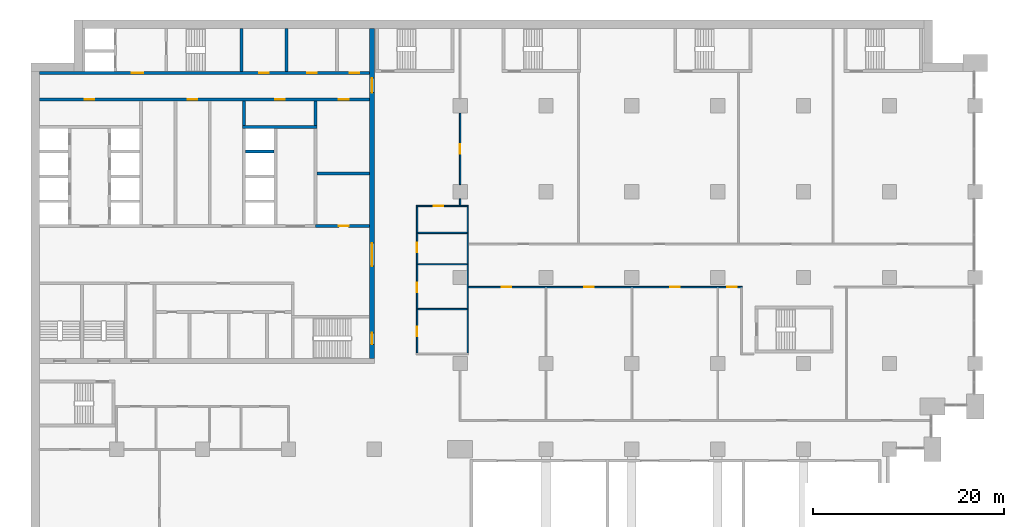
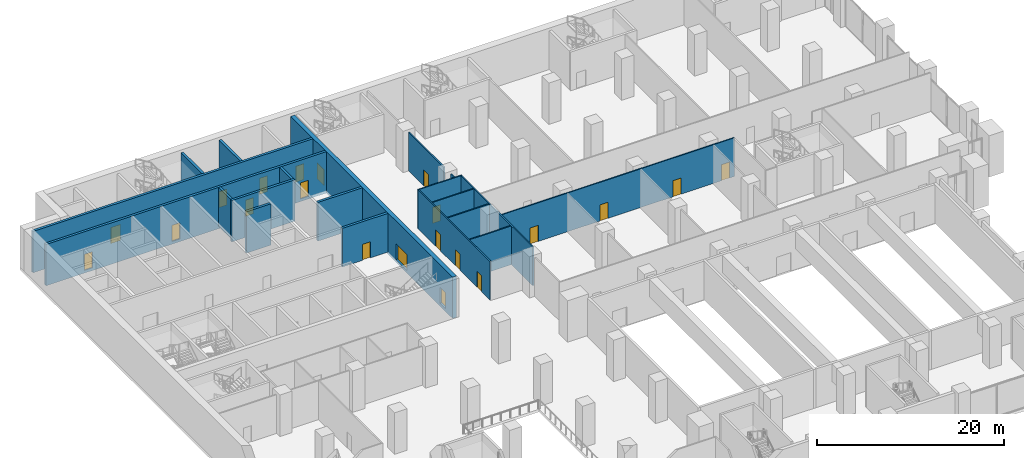
# One storey, part 19 of 43: 21 doors, 20 walls, 21 openings.
"""IFC4 building model written with IfcOpenShell, lengths in metres."""

from ifc_helpers import new_model, si_unit, direction, frame, frame_2d, origin, place, context, subcontext, project, spatial, rectangle, extrude, material, layer, layer_set, type_object, element, fill, save


model = new_model("IFC4")

# Units and contexts
model_context = context("Model", 3, precision=1e-05, world=origin(), true_north=direction((0.0, 1.0)))
body_context = subcontext(model_context, "Body", "Model", "MODEL_VIEW")
ifc_project = project(units=[si_unit("LENGTHUNIT", "METRE"), si_unit("AREAUNIT", "SQUARE_METRE"), si_unit("VOLUMEUNIT", "CUBIC_METRE"), si_unit("PLANEANGLEUNIT", "RADIAN"), si_unit("MASSUNIT", "GRAM", prefix="KILO")], contexts=[model_context])

# Site, building, storey
site_placement = place(None, origin())
site = spatial("IfcSite", under=ifc_project, at=site_placement, CompositionType="ELEMENT")
building_placement = place(site_placement, origin())
building = spatial("IfcBuilding", under=site, at=building_placement, Name="Hunhe Ridgeline Campus", CompositionType="ELEMENT")
storey_placement = place(building_placement, frame((0.0, 0.0, 11.39990234375)))
storey = spatial("IfcBuildingStorey", under=building, at=storey_placement, Name="L02", CompositionType="ELEMENT", Elevation=11.39990234375)

# Wall
ifc_material_1 = material(Name="Plastered blockwork", Category="masonry")
ifc_layer_1 = layer(ifc_material_1, 0.14990234375)
ifc_layer_set_1 = layer_set([ifc_layer_1], Name="Blockwork partition 150")
wall_type_1 = type_object("IfcWallType", Name="Blockwork partition 150", PredefinedType="PARTITIONING", material=ifc_layer_set_1)
wall_1_placement = place(storey_placement, frame((45.0, 79.574951171875, 0.0), z_axis=(0.0, 0.0, 1.0), x_axis=(0.0, 1.0, 0.0)))
element("IfcWall", 1, at=wall_1_placement, inside=storey, type_object=wall_type_1, Name="L02 partition", PredefinedType="PARTITIONING", context=body_context, shape_type="SweptSolid", body=[
    extrude(rectangle(XDim=0.675048828125, YDim=0.14990234375, at=frame_2d((0.33740234375, 0.0))), origin(), (0.0, 0.0, 1.0), 5.050048828125),
])

# Wall, opening, door
wall_2_placement = place(storey_placement, frame((45.0, 81.75, 0.0), z_axis=(0.0, 0.0, 1.0), x_axis=(0.0, 1.0, 0.0)))
wall_2 = element("IfcWall", 2, at=wall_2_placement, inside=storey, type_object=wall_type_1, Name="L02 partition", PredefinedType="PARTITIONING", context=body_context, shape_type="SweptSolid", body=[
    extrude(rectangle(XDim=7.5, YDim=0.14990234375, at=frame_2d((3.75, 0.0))), origin(), (0.0, 0.0, 1.0), 5.050048828125),
])
opening_1_placement = place(wall_2_placement, frame((3.25, 0.0, 0.0)))
opening_1 = element("IfcOpeningElement", 3, at=opening_1_placement, cuts=wall_2, Name="Opening PD338", PredefinedType="OPENING", context=body_context, shape_type="SweptSolid", body=[
    extrude(rectangle(XDim=1.0, YDim=2.10009765625, at=frame_2d((0.5, 1.050048828125))), frame((0.0, 0.074951171875, 0.0), z_axis=(0.0, -1.0, 0.0), x_axis=(1.0, 0.0, 0.0)), (0.0, 0.0, 1.0), 0.14990234375),
])
ifc_material_2 = material(Name="Timber", Category="wood")
door_type_1 = type_object("IfcDoorType", Name="Podium timber door 1000x2100", OperationType="NOTDEFINED", PredefinedType="DOOR", material=ifc_material_2)
door_1_placement = place(opening_1_placement, origin())
door_1 = element("IfcDoor", 4, at=door_1_placement, inside=storey, type_object=door_type_1, Name="Research Office 2.11 door", OperationType="SINGLE_SWING_RIGHT", OverallHeight=2.10009765625, OverallWidth=1.0, PredefinedType="DOOR", context=body_context, shape_type="SweptSolid", body=[
    extrude(rectangle(XDim=1.0, YDim=2.10009765625, at=frame_2d((0.5, 1.050048828125))), frame((0.0, 0.02490234375, 0.0), z_axis=(0.0, -1.0, 0.0), x_axis=(1.0, 0.0, 0.0)), (0.0, 0.0, 1.0), 0.050048828125),
])
fill(opening_1, door_1)

# Walls
wall_3_placement = place(storey_placement, frame((40.574951171875, 68.697021484375, 0.0), z_axis=(0.0, 0.0, 1.0), x_axis=(1.0, 0.0, 0.0)))
element("IfcWall", 5, at=wall_3_placement, inside=storey, type_object=wall_type_1, Name="L02 partition", PredefinedType="PARTITIONING", context=body_context, shape_type="SweptSolid", body=[
    extrude(rectangle(XDim=5.150146484375, YDim=0.14990234375, at=frame_2d((2.5751953125, 0.0))), origin(), (0.0, 0.0, 1.0), 5.050048828125),
])
wall_4_placement = place(storey_placement, frame((45.800048828125, 79.425048828125, 0.0), z_axis=(0.0, 0.0, 1.0), x_axis=(0.0, -1.0, 0.0)))
element("IfcWall", 6, at=wall_4_placement, inside=storey, type_object=wall_type_1, Name="L02 partition", PredefinedType="PARTITIONING", context=body_context, shape_type="SweptSolid", body=[
    extrude(rectangle(XDim=15.35009765625, YDim=0.14990234375, at=frame_2d((7.675048828125, 0.0))), origin(), (0.0, 0.0, 1.0), 5.050048828125),
])

# Wall, openings, doors
wall_5_placement = place(storey_placement, frame((40.5, 64.074951171875, 0.0), z_axis=(0.0, 0.0, 1.0), x_axis=(0.0, 1.0, 0.0)))
wall_5 = element("IfcWall", 7, at=wall_5_placement, inside=storey, type_object=wall_type_1, Name="L02 partition", PredefinedType="PARTITIONING", context=body_context, shape_type="SweptSolid", body=[
    extrude(rectangle(XDim=15.35009765625, YDim=0.14990234375, at=frame_2d((7.675048828125, 0.0))), origin(), (0.0, 0.0, 1.0), 5.050048828125),
])
opening_2_placement = place(wall_5_placement, frame((1.75, 0.0, 0.0)))
opening_2 = element("IfcOpeningElement", 8, at=opening_2_placement, cuts=wall_5, Name="Opening PD323", PredefinedType="OPENING", context=body_context, shape_type="SweptSolid", body=[
    extrude(rectangle(XDim=1.0, YDim=2.10009765625, at=frame_2d((0.5, 1.050048828125))), frame((0.0, 0.074951171875, 0.0), z_axis=(0.0, -1.0, 0.0), x_axis=(1.0, 0.0, 0.0)), (0.0, 0.0, 1.0), 0.14990234375),
])
opening_3_placement = place(wall_5_placement, frame((6.3720703125, 0.0, 0.0)))
opening_3 = element("IfcOpeningElement", 9, at=opening_3_placement, cuts=wall_5, Name="Opening PD324", PredefinedType="OPENING", context=body_context, shape_type="SweptSolid", body=[
    extrude(rectangle(XDim=1.0, YDim=2.10009765625, at=frame_2d((0.5, 1.050048828125))), frame((0.0, 0.074951171875, 0.0), z_axis=(0.0, -1.0, 0.0), x_axis=(1.0, 0.0, 0.0)), (0.0, 0.0, 1.0), 0.14990234375),
])
opening_4_placement = place(wall_5_placement, frame((10.569091796875, 0.0, 0.0)))
opening_4 = element("IfcOpeningElement", 10, at=opening_4_placement, cuts=wall_5, Name="Opening PD325", PredefinedType="OPENING", context=body_context, shape_type="SweptSolid", body=[
    extrude(rectangle(XDim=1.0, YDim=2.10009765625, at=frame_2d((0.5, 1.050048828125))), frame((0.0, 0.074951171875, 0.0), z_axis=(0.0, -1.0, 0.0), x_axis=(1.0, 0.0, 0.0)), (0.0, 0.0, 1.0), 0.14990234375),
])
door_type_2 = type_object("IfcDoorType", Name="Podium accessible WC door 1000x2100", OperationType="NOTDEFINED", PredefinedType="DOOR", material=ifc_material_2)
door_2_placement = place(opening_4_placement, origin())
door_2 = element("IfcDoor", 11, at=door_2_placement, inside=storey, type_object=door_type_2, Name="Accessible WC door", OperationType="SINGLE_SWING_RIGHT", OverallHeight=2.10009765625, OverallWidth=1.0, PredefinedType="DOOR", context=body_context, shape_type="SweptSolid", body=[
    extrude(rectangle(XDim=1.0, YDim=2.10009765625, at=frame_2d((0.5, 1.050048828125))), frame((0.0, 0.02490234375, 0.0), z_axis=(0.0, -1.0, 0.0), x_axis=(1.0, 0.0, 0.0)), (0.0, 0.0, 1.0), 0.050048828125),
])
fill(opening_4, door_2)
door_3_placement = place(opening_2_placement, origin())
door_3 = element("IfcDoor", 12, at=door_3_placement, inside=storey, type_object=door_type_1, Name="Men WC door", OperationType="SINGLE_SWING_LEFT", OverallHeight=2.10009765625, OverallWidth=1.0, PredefinedType="DOOR", context=body_context, shape_type="SweptSolid", body=[
    extrude(rectangle(XDim=1.0, YDim=2.10009765625, at=frame_2d((0.5, 1.050048828125))), frame((0.0, 0.02490234375, 0.0), z_axis=(0.0, -1.0, 0.0), x_axis=(1.0, 0.0, 0.0)), (0.0, 0.0, 1.0), 0.050048828125),
])
fill(opening_2, door_3)
door_4_placement = place(opening_3_placement, origin())
door_4 = element("IfcDoor", 13, at=door_4_placement, inside=storey, type_object=door_type_1, Name="Women WC door", OperationType="SINGLE_SWING_LEFT", OverallHeight=2.10009765625, OverallWidth=1.0, PredefinedType="DOOR", context=body_context, shape_type="SweptSolid", body=[
    extrude(rectangle(XDim=1.0, YDim=2.10009765625, at=frame_2d((0.5, 1.050048828125))), frame((0.0, 0.02490234375, 0.0), z_axis=(0.0, -1.0, 0.0), x_axis=(1.0, 0.0, 0.0)), (0.0, 0.0, 1.0), 0.050048828125),
])
fill(opening_3, door_4)

# Walls
for number, where, z_axis, x_axis, name in (
    (14, (40.574951171875, 73.39404296875, 0.0), (0.0, 0.0, 1.0), (1.0, 0.0, 0.0), "L02 partition"),
    (15, (40.574951171875, 76.681884765625, 0.0), (0.0, 0.0, 1.0), (1.0, 0.0, 0.0), "L02 partition"),
):
    element("IfcWall", number, at=place(storey_placement, frame(where, z_axis=z_axis, x_axis=x_axis)), inside=storey, type_object=wall_type_1, Name=name, PredefinedType="PARTITIONING", context=body_context, shape_type="SweptSolid", body=[
        extrude(rectangle(XDim=5.150146484375, YDim=0.14990234375, at=frame_2d((2.5751953125, 0.0))), origin(), (0.0, 0.0, 1.0), 5.050048828125),
    ])

# Wall, opening, door
wall_6_placement = place(storey_placement, frame((40.425048828125, 79.5, 0.0), z_axis=(0.0, 0.0, 1.0), x_axis=(1.0, 0.0, 0.0)))
wall_6 = element("IfcWall", 16, at=wall_6_placement, inside=storey, type_object=wall_type_1, Name="L02 partition", PredefinedType="PARTITIONING", context=body_context, shape_type="SweptSolid", body=[
    extrude(rectangle(XDim=5.449951171875, YDim=0.14990234375, at=frame_2d((2.72509765625, 0.0))), origin(), (0.0, 0.0, 1.0), 5.050048828125),
])
opening_5_placement = place(wall_6_placement, frame((1.824951171875, 0.0, 0.0)))
opening_5 = element("IfcOpeningElement", 17, at=opening_5_placement, cuts=wall_6, Name="Opening PD326", PredefinedType="OPENING", context=body_context, shape_type="SweptSolid", body=[
    extrude(rectangle(XDim=1.0, YDim=2.10009765625, at=frame_2d((0.5, 1.050048828125))), frame((0.0, 0.074951171875, 0.0), z_axis=(0.0, -1.0, 0.0), x_axis=(1.0, 0.0, 0.0)), (0.0, 0.0, 1.0), 0.14990234375),
])
door_5_placement = place(opening_5_placement, origin())
door_5 = element("IfcDoor", 18, at=door_5_placement, inside=storey, type_object=door_type_1, Name="Cleaners Store door", OperationType="SINGLE_SWING_LEFT", OverallHeight=2.10009765625, OverallWidth=1.0, PredefinedType="DOOR", context=body_context, shape_type="SweptSolid", body=[
    extrude(rectangle(XDim=1.0, YDim=2.10009765625, at=frame_2d((0.5, 1.050048828125))), frame((0.0, 0.02490234375, 0.0), z_axis=(0.0, -1.0, 0.0), x_axis=(1.0, 0.0, 0.0)), (0.0, 0.0, 1.0), 0.050048828125),
])
fill(opening_5, door_5)

# Wall, openings, doors
wall_7_placement = place(storey_placement, frame((45.875, 71.0, 0.0), z_axis=(0.0, 0.0, 1.0), x_axis=(1.0, 0.0, 0.0)))
wall_7 = element("IfcWall", 19, at=wall_7_placement, inside=storey, type_object=wall_type_1, Name="L02 partition", PredefinedType="PARTITIONING", context=body_context, shape_type="SweptSolid", body=[
    extrude(rectangle(XDim=28.699951171875, YDim=0.14990234375, at=frame_2d((14.35009765625, 0.0))), origin(), (0.0, 0.0, 1.0), 5.050048828125),
])
opening_6_placement = place(wall_7_placement, frame((3.5, 0.0, 0.0)))
opening_6 = element("IfcOpeningElement", 20, at=opening_6_placement, cuts=wall_7, Name="Opening PD328", PredefinedType="OPENING", context=body_context, shape_type="SweptSolid", body=[
    extrude(rectangle(XDim=1.0, YDim=2.10009765625, at=frame_2d((0.5, 1.050048828125))), frame((0.0, 0.074951171875, 0.0), z_axis=(0.0, -1.0, 0.0), x_axis=(1.0, 0.0, 0.0)), (0.0, 0.0, 1.0), 0.14990234375),
])
opening_7_placement = place(wall_7_placement, frame((12.125, 0.0, 0.0)))
opening_7 = element("IfcOpeningElement", 21, at=opening_7_placement, cuts=wall_7, Name="Opening PD330", PredefinedType="OPENING", context=body_context, shape_type="SweptSolid", body=[
    extrude(rectangle(XDim=1.0, YDim=2.10009765625, at=frame_2d((0.5, 1.050048828125))), frame((0.0, 0.074951171875, 0.0), z_axis=(0.0, -1.0, 0.0), x_axis=(1.0, 0.0, 0.0)), (0.0, 0.0, 1.0), 0.14990234375),
])
opening_8_placement = place(wall_7_placement, frame((21.125, 0.0, 0.0)))
opening_8 = element("IfcOpeningElement", 22, at=opening_8_placement, cuts=wall_7, Name="Opening PD332", PredefinedType="OPENING", context=body_context, shape_type="SweptSolid", body=[
    extrude(rectangle(XDim=1.0, YDim=2.10009765625, at=frame_2d((0.5, 1.050048828125))), frame((0.0, 0.074951171875, 0.0), z_axis=(0.0, -1.0, 0.0), x_axis=(1.0, 0.0, 0.0)), (0.0, 0.0, 1.0), 0.14990234375),
])
opening_9_placement = place(wall_7_placement, frame((27.125, 0.0, 0.0)))
opening_9 = element("IfcOpeningElement", 23, at=opening_9_placement, cuts=wall_7, Name="Opening PD334", PredefinedType="OPENING", context=body_context, shape_type="SweptSolid", body=[
    extrude(rectangle(XDim=1.0, YDim=2.10009765625, at=frame_2d((0.5, 1.050048828125))), frame((0.0, 0.074951171875, 0.0), z_axis=(0.0, -1.0, 0.0), x_axis=(1.0, 0.0, 0.0)), (0.0, 0.0, 1.0), 0.14990234375),
])
door_6_placement = place(opening_6_placement, origin())
door_6 = element("IfcDoor", 24, at=door_6_placement, inside=storey, type_object=door_type_1, Name="AV Projection Room A door", OperationType="SINGLE_SWING_LEFT", OverallHeight=2.10009765625, OverallWidth=1.0, PredefinedType="DOOR", context=body_context, shape_type="SweptSolid", body=[
    extrude(rectangle(XDim=1.0, YDim=2.10009765625, at=frame_2d((0.5, 1.050048828125))), frame((0.0, 0.02490234375, 0.0), z_axis=(0.0, -1.0, 0.0), x_axis=(1.0, 0.0, 0.0)), (0.0, 0.0, 1.0), 0.050048828125),
])
fill(opening_6, door_6)
door_7_placement = place(opening_7_placement, origin())
door_7 = element("IfcDoor", 25, at=door_7_placement, inside=storey, type_object=door_type_1, Name="AV Projection Room B door", OperationType="SINGLE_SWING_LEFT", OverallHeight=2.10009765625, OverallWidth=1.0, PredefinedType="DOOR", context=body_context, shape_type="SweptSolid", body=[
    extrude(rectangle(XDim=1.0, YDim=2.10009765625, at=frame_2d((0.5, 1.050048828125))), frame((0.0, 0.02490234375, 0.0), z_axis=(0.0, -1.0, 0.0), x_axis=(1.0, 0.0, 0.0)), (0.0, 0.0, 1.0), 0.050048828125),
])
fill(opening_7, door_7)
door_8_placement = place(opening_8_placement, origin())
door_8 = element("IfcDoor", 26, at=door_8_placement, inside=storey, type_object=door_type_1, Name="AV Projection Room C door", OperationType="SINGLE_SWING_RIGHT", OverallHeight=2.10009765625, OverallWidth=1.0, PredefinedType="DOOR", context=body_context, shape_type="SweptSolid", body=[
    extrude(rectangle(XDim=1.0, YDim=2.10009765625, at=frame_2d((0.5, 1.050048828125))), frame((0.0, 0.02490234375, 0.0), z_axis=(0.0, -1.0, 0.0), x_axis=(1.0, 0.0, 0.0)), (0.0, 0.0, 1.0), 0.050048828125),
])
fill(opening_8, door_8)
door_9_placement = place(opening_9_placement, origin())
door_9 = element("IfcDoor", 27, at=door_9_placement, inside=storey, type_object=door_type_1, Name="Seminar Room 2.09 door", OperationType="SINGLE_SWING_RIGHT", OverallHeight=2.10009765625, OverallWidth=1.0, PredefinedType="DOOR", context=body_context, shape_type="SweptSolid", body=[
    extrude(rectangle(XDim=1.0, YDim=2.10009765625, at=frame_2d((0.5, 1.050048828125))), frame((0.0, 0.02490234375, 0.0), z_axis=(0.0, -1.0, 0.0), x_axis=(1.0, 0.0, 0.0)), (0.0, 0.0, 1.0), 0.050048828125),
])
fill(opening_9, door_9)

# Wall, opening, door
ifc_material_3 = material(Name="Masonry concrete blockwork", Category="masonry")
ifc_layer_2 = layer(ifc_material_3, 0.300048828125)
ifc_layer_set_2 = layer_set([ifc_layer_2], Name="Core room partition 300 concrete block")
wall_type_2 = type_object("IfcWallType", Name="Core room partition 300 concrete block", PredefinedType="PARTITIONING", material=ifc_layer_set_2)
wall_8_placement = place(storey_placement, frame((29.85009765625, 77.39990234375, 0.0), z_axis=(0.0, 0.0, 1.0), x_axis=(1.0, 0.0, 0.0)))
wall_8 = element("IfcWall", 28, at=wall_8_placement, inside=storey, type_object=wall_type_2, Name="L02 core partition 15", PredefinedType="PARTITIONING", context=body_context, shape_type="SweptSolid", body=[
    extrude(rectangle(XDim=5.64990234375, YDim=0.300048828125, at=frame_2d((2.824951171875, 0.0))), origin(), (0.0, 0.0, 1.0), 5.050048828125),
])
opening_10_placement = place(wall_8_placement, frame((2.449951171875, 0.0, 0.0)))
opening_10 = element("IfcOpeningElement", 29, at=opening_10_placement, cuts=wall_8, Name="Opening CD32", PredefinedType="OPENING", context=body_context, shape_type="SweptSolid", body=[
    extrude(rectangle(XDim=1.0, YDim=2.10009765625, at=frame_2d((0.5, 1.050048828125))), frame((0.0, 0.14990234375, 0.0), z_axis=(0.0, -1.0, 0.0), x_axis=(1.0, 0.0, 0.0)), (0.0, 0.0, 1.0), 0.300048828125),
])
ifc_material_4 = material(Name="Solid core timber door leaf", Category="wood")
door_type_3 = type_object("IfcDoorType", Name="Timber door 1000x2100", OperationType="SINGLE_SWING_LEFT", PredefinedType="DOOR", material=ifc_material_4)
door_10_placement = place(opening_10_placement, origin())
door_10 = element("IfcDoor", 30, at=door_10_placement, inside=storey, type_object=door_type_3, Name="L02 door ES0", OperationType="SINGLE_SWING_LEFT", OverallHeight=2.10009765625, OverallWidth=1.0, PredefinedType="DOOR", context=body_context, shape_type="SweptSolid", body=[
    extrude(rectangle(XDim=1.0, YDim=2.10009765625, at=frame_2d((0.5, 1.050048828125))), frame((0.0, 0.02490234375, 0.0), z_axis=(0.0, -1.0, 0.0), x_axis=(1.0, 0.0, 0.0)), (0.0, 0.0, 1.0), 0.050048828125),
])
fill(opening_10, door_10)

# Walls
wall_9_placement = place(storey_placement, frame((30.0, 82.89990234375, 0.0), z_axis=(0.0, 0.0, 1.0), x_axis=(1.0, 0.0, 0.0)))
element("IfcWall", 31, at=wall_9_placement, inside=storey, type_object=wall_type_2, Name="L02 core partition 22", PredefinedType="PARTITIONING", context=body_context, shape_type="SweptSolid", body=[
    extrude(rectangle(XDim=5.5, YDim=0.300048828125, at=frame_2d((2.75, 0.0))), origin(), (0.0, 0.0, 1.0), 5.050048828125),
])
wall_10_placement = place(storey_placement, frame((22.35009765625, 87.949951171875, 0.0), z_axis=(0.0, 0.0, 1.0), x_axis=(0.0, 1.0, 0.0)))
element("IfcWall", 32, at=wall_10_placement, inside=storey, type_object=wall_type_2, Name="L02 core partition 54", PredefinedType="PARTITIONING", context=body_context, shape_type="SweptSolid", body=[
    extrude(rectangle(XDim=2.550048828125, YDim=0.300048828125, at=frame_2d((1.27490234375, 0.0))), origin(), (0.0, 0.0, 1.0), 5.050048828125),
])
wall_11_placement = place(storey_placement, frame((26.800048828125, 93.60009765625, 0.0), z_axis=(0.0, 0.0, 1.0), x_axis=(0.0, 1.0, 0.0)))
element("IfcWall", 33, at=wall_11_placement, inside=storey, type_object=wall_type_2, Name="L02 core partition 58", PredefinedType="PARTITIONING", context=body_context, shape_type="SweptSolid", body=[
    extrude(rectangle(XDim=4.5, YDim=0.300048828125, at=frame_2d((2.25, 0.0))), origin(), (0.0, 0.0, 1.0), 5.050048828125),
])
wall_12_placement = place(storey_placement, frame((29.85009765625, 87.949951171875, 0.0), z_axis=(0.0, 0.0, 1.0), x_axis=(0.0, 1.0, 0.0)))
element("IfcWall", 34, at=wall_12_placement, inside=storey, type_object=wall_type_2, Name="L02 core partition 62", PredefinedType="PARTITIONING", context=body_context, shape_type="SweptSolid", body=[
    extrude(rectangle(XDim=2.550048828125, YDim=0.300048828125, at=frame_2d((1.27490234375, 0.0))), origin(), (0.0, 0.0, 1.0), 5.050048828125),
])

# Wall, openings, doors
ifc_material_5 = material(Name="Concrete C80", Category="concrete")
ifc_layer_3 = layer(ifc_material_5, 0.5)
ifc_layer_set_3 = layer_set([ifc_layer_3], Name="Core wall 500 reinforced concrete C80")
wall_type_3 = type_object("IfcWallType", Name="Core wall 500 reinforced concrete C80", PredefinedType="SOLIDWALL", material=ifc_layer_set_3)
wall_13_placement = place(storey_placement, frame((35.75, 63.5, -0.349853515625), z_axis=(0.0, 0.0, 1.0), x_axis=(0.0, 1.0, 0.0)))
wall_13 = element("IfcWall", 35, at=wall_13_placement, inside=storey, type_object=wall_type_3, Name="L02 core wall 64", PredefinedType="SOLIDWALL", context=body_context, shape_type="SweptSolid", body=[
    extrude(rectangle(XDim=34.60009765625, YDim=0.5, at=frame_2d((17.300048828125, 0.0))), origin(), (0.0, 0.0, 1.0), 5.39990234375),
])
opening_11_placement = place(wall_13_placement, frame((9.699951171875, 0.0, 0.35009765625)))
opening_11 = element("IfcOpeningElement", 36, at=opening_11_placement, cuts=wall_13, Name="Opening CD4", PredefinedType="OPENING", context=body_context, shape_type="SweptSolid", body=[
    extrude(rectangle(XDim=2.39990234375, YDim=2.10009765625, at=frame_2d((1.199951171875, 1.050048828125))), frame((0.0, 0.25, 0.0), z_axis=(0.0, -1.0, 0.0), x_axis=(1.0, 0.0, 0.0)), (0.0, 0.0, 1.0), 0.5),
])
opening_12_placement = place(wall_13_placement, frame((27.89990234375, 0.0, 0.35009765625)))
opening_12 = element("IfcOpeningElement", 37, at=opening_12_placement, cuts=wall_13, Name="Opening CD5", PredefinedType="OPENING", context=body_context, shape_type="SweptSolid", body=[
    extrude(rectangle(XDim=1.5, YDim=2.10009765625, at=frame_2d((0.75, 1.050048828125))), frame((0.0, 0.25, 0.0), z_axis=(0.0, -1.0, 0.0), x_axis=(1.0, 0.0, 0.0)), (0.0, 0.0, 1.0), 0.5),
])
opening_13_placement = place(wall_13_placement, frame((1.5, 0.0, 0.35009765625)))
opening_13 = element("IfcOpeningElement", 38, at=opening_13_placement, cuts=wall_13, Name="Opening CD15", PredefinedType="OPENING", context=body_context, shape_type="SweptSolid", body=[
    extrude(rectangle(XDim=1.199951171875, YDim=2.10009765625, at=frame_2d((0.60009765625, 1.050048828125))), frame((0.0, 0.25, 0.0), z_axis=(0.0, -1.0, 0.0), x_axis=(1.0, 0.0, 0.0)), (0.0, 0.0, 1.0), 0.5),
])
ifc_material_6 = material(Name="Anodised aluminium and glass", Category="aluminium")
door_type_4 = type_object("IfcDoorType", Name="Glazed double door 2400x2100", OperationType="DOUBLE_DOOR_SINGLE_SWING", PredefinedType="DOOR", material=ifc_material_6)
door_11_placement = place(opening_11_placement, frame((2.39990234375, 0.0, 0.0), z_axis=(0.0, 0.0, 1.0), x_axis=(-1.0, 0.0, 0.0)))
door_11 = element("IfcDoor", 39, at=door_11_placement, inside=storey, type_object=door_type_4, Name="L02 door HALL-FLOOR", OperationType="DOUBLE_DOOR_SINGLE_SWING", OverallHeight=2.10009765625, OverallWidth=2.39990234375, PredefinedType="DOOR", context=body_context, shape_type="SweptSolid", body=[
    extrude(rectangle(XDim=2.39990234375, YDim=2.10009765625, at=frame_2d((1.199951171875, 1.050048828125))), frame((0.0, 0.02490234375, 0.0), z_axis=(0.0, -1.0, 0.0), x_axis=(1.0, 0.0, 0.0)), (0.0, 0.0, 1.0), 0.050048828125),
])
fill(opening_11, door_11)
ifc_material_7 = material(Name="Hollow metal fire door leaf")
door_type_5 = type_object("IfcDoorType", Name="Stair door 1200x2100 FD60", OperationType="SINGLE_SWING_LEFT", PredefinedType="DOOR", material=ifc_material_7)
door_12_placement = place(opening_13_placement, frame((1.199951171875, 0.0, 0.0), z_axis=(0.0, 0.0, 1.0), x_axis=(-1.0, 0.0, 0.0)))
door_12 = element("IfcDoor", 40, at=door_12_placement, inside=storey, type_object=door_type_5, Name="L02 door S2-FLOOR", OperationType="SINGLE_SWING_RIGHT", OverallHeight=2.10009765625, OverallWidth=1.199951171875, PredefinedType="DOOR", context=body_context, shape_type="SweptSolid", body=[
    extrude(rectangle(XDim=1.199951171875, YDim=2.10009765625, at=frame_2d((0.60009765625, 1.050048828125))), frame((0.0, 0.02490234375, 0.0), z_axis=(0.0, -1.0, 0.0), x_axis=(1.0, 0.0, 0.0)), (0.0, 0.0, 1.0), 0.050048828125),
])
fill(opening_13, door_12)
door_type_6 = type_object("IfcDoorType", Name="Timber door 1500x2100", OperationType="SINGLE_SWING_LEFT", PredefinedType="DOOR", material=ifc_material_4)
door_13_placement = place(opening_12_placement, frame((1.5, 0.0, 0.0), z_axis=(0.0, 0.0, 1.0), x_axis=(-1.0, 0.0, 0.0)))
door_13 = element("IfcDoor", 41, at=door_13_placement, inside=storey, type_object=door_type_6, Name="L02 door C1-FLOOR", OperationType="SINGLE_SWING_RIGHT", OverallHeight=2.10009765625, OverallWidth=1.5, PredefinedType="DOOR", context=body_context, shape_type="SweptSolid", body=[
    extrude(rectangle(XDim=1.5, YDim=2.10009765625, at=frame_2d((0.75, 1.050048828125))), frame((0.0, 0.02490234375, 0.0), z_axis=(0.0, -1.0, 0.0), x_axis=(1.0, 0.0, 0.0)), (0.0, 0.0, 1.0), 0.050048828125),
])
fill(opening_12, door_13)

ifc_layer_4 = layer(ifc_material_5, 0.300048828125)
ifc_layer_set_4 = layer_set([ifc_layer_4], Name="Lobby wall 300 reinforced concrete C80")
wall_type_4 = type_object("IfcWallType", Name="Lobby wall 300 reinforced concrete C80", PredefinedType="SOLIDWALL", material=ifc_layer_set_4)
wall_14_placement = place(storey_placement, frame((0.89990234375, 90.64990234375, -0.349853515625), z_axis=(0.0, 0.0, 1.0), x_axis=(1.0, 0.0, 0.0)))
wall_14 = element("IfcWall", 42, at=wall_14_placement, inside=storey, type_object=wall_type_4, Name="L02 core wall 28", PredefinedType="SOLIDWALL", context=body_context, shape_type="SweptSolid", body=[
    extrude(rectangle(XDim=34.60009765625, YDim=0.300048828125, at=frame_2d((17.300048828125, 0.0))), origin(), (0.0, 0.0, 1.0), 5.39990234375),
])
opening_14_placement = place(wall_14_placement, frame((4.75, 0.0, 0.35009765625)))
opening_14 = element("IfcOpeningElement", 43, at=opening_14_placement, cuts=wall_14, Name="Opening CD26", PredefinedType="OPENING", context=body_context, shape_type="SweptSolid", body=[
    extrude(rectangle(XDim=1.0, YDim=2.10009765625, at=frame_2d((0.5, 1.050048828125))), frame((0.0, 0.14990234375, 0.0), z_axis=(0.0, -1.0, 0.0), x_axis=(1.0, 0.0, 0.0)), (0.0, 0.0, 1.0), 0.300048828125),
])
opening_15_placement = place(wall_14_placement, frame((24.699951171875, 0.0, 0.35009765625)))
opening_15 = element("IfcOpeningElement", 44, at=opening_15_placement, cuts=wall_14, Name="Opening CD27", PredefinedType="OPENING", context=body_context, shape_type="SweptSolid", body=[
    extrude(rectangle(XDim=1.0, YDim=2.10009765625, at=frame_2d((0.5, 1.050048828125))), frame((0.0, 0.14990234375, 0.0), z_axis=(0.0, -1.0, 0.0), x_axis=(1.0, 0.0, 0.0)), (0.0, 0.0, 1.0), 0.300048828125),
])
opening_16_placement = place(wall_14_placement, frame((15.550048828125, 0.0, 0.35009765625)))
opening_16 = element("IfcOpeningElement", 45, at=opening_16_placement, cuts=wall_14, Name="Opening CD29", PredefinedType="OPENING", context=body_context, shape_type="SweptSolid", body=[
    extrude(rectangle(XDim=1.0, YDim=2.10009765625, at=frame_2d((0.5, 1.050048828125))), frame((0.0, 0.14990234375, 0.0), z_axis=(0.0, -1.0, 0.0), x_axis=(1.0, 0.0, 0.0)), (0.0, 0.0, 1.0), 0.300048828125),
])
opening_17_placement = place(wall_14_placement, frame((31.39990234375, 0.0, 0.35009765625)))
opening_17 = element("IfcOpeningElement", 46, at=opening_17_placement, cuts=wall_14, Name="Opening CD33", PredefinedType="OPENING", context=body_context, shape_type="SweptSolid", body=[
    extrude(rectangle(XDim=1.0, YDim=2.10009765625, at=frame_2d((0.5, 1.050048828125))), frame((0.0, 0.14990234375, 0.0), z_axis=(0.0, -1.0, 0.0), x_axis=(1.0, 0.0, 0.0)), (0.0, 0.0, 1.0), 0.300048828125),
])
door_14_placement = place(opening_14_placement, frame((1.0, 0.0, 0.0), z_axis=(0.0, 0.0, 1.0), x_axis=(-1.0, 0.0, 0.0)))
door_14 = element("IfcDoor", 47, at=door_14_placement, inside=storey, type_object=door_type_3, Name="L02 door NR-0", OperationType="SINGLE_SWING_RIGHT", OverallHeight=2.10009765625, OverallWidth=1.0, PredefinedType="DOOR", context=body_context, shape_type="SweptSolid", body=[
    extrude(rectangle(XDim=1.0, YDim=2.10009765625, at=frame_2d((0.5, 1.050048828125))), frame((0.0, 0.02490234375, 0.0), z_axis=(0.0, -1.0, 0.0), x_axis=(1.0, 0.0, 0.0)), (0.0, 0.0, 1.0), 0.050048828125),
])
fill(opening_14, door_14)
door_15_placement = place(opening_15_placement, frame((1.0, 0.0, 0.0), z_axis=(0.0, 0.0, 1.0), x_axis=(-1.0, 0.0, 0.0)))
door_15 = element("IfcDoor", 48, at=door_15_placement, inside=storey, type_object=door_type_3, Name="L02 door NR-1", OperationType="SINGLE_SWING_LEFT", OverallHeight=2.10009765625, OverallWidth=1.0, PredefinedType="DOOR", context=body_context, shape_type="SweptSolid", body=[
    extrude(rectangle(XDim=1.0, YDim=2.10009765625, at=frame_2d((0.5, 1.050048828125))), frame((0.0, 0.02490234375, 0.0), z_axis=(0.0, -1.0, 0.0), x_axis=(1.0, 0.0, 0.0)), (0.0, 0.0, 1.0), 0.050048828125),
])
fill(opening_15, door_15)
door_16_placement = place(opening_16_placement, frame((1.0, 0.0, 0.0), z_axis=(0.0, 0.0, 1.0), x_axis=(-1.0, 0.0, 0.0)))
door_16 = element("IfcDoor", 49, at=door_16_placement, inside=storey, type_object=door_type_3, Name="L02 door VD-HR1", OperationType="SINGLE_SWING_LEFT", OverallHeight=2.10009765625, OverallWidth=1.0, PredefinedType="DOOR", context=body_context, shape_type="SweptSolid", body=[
    extrude(rectangle(XDim=1.0, YDim=2.10009765625, at=frame_2d((0.5, 1.050048828125))), frame((0.0, 0.02490234375, 0.0), z_axis=(0.0, -1.0, 0.0), x_axis=(1.0, 0.0, 0.0)), (0.0, 0.0, 1.0), 0.050048828125),
])
fill(opening_16, door_16)
door_17_placement = place(opening_17_placement, frame((1.0, 0.0, 0.0), z_axis=(0.0, 0.0, 1.0), x_axis=(-1.0, 0.0, 0.0)))
door_17 = element("IfcDoor", 50, at=door_17_placement, inside=storey, type_object=door_type_3, Name="L02 door ES1", OperationType="SINGLE_SWING_LEFT", OverallHeight=2.10009765625, OverallWidth=1.0, PredefinedType="DOOR", context=body_context, shape_type="SweptSolid", body=[
    extrude(rectangle(XDim=1.0, YDim=2.10009765625, at=frame_2d((0.5, 1.050048828125))), frame((0.0, 0.02490234375, 0.0), z_axis=(0.0, -1.0, 0.0), x_axis=(1.0, 0.0, 0.0)), (0.0, 0.0, 1.0), 0.050048828125),
])
fill(opening_17, door_17)

# Walls
ifc_layer_5 = layer(ifc_material_5, 0.300048828125)
ifc_layer_set_5 = layer_set([ifc_layer_5], Name="Shaft wall 300 reinforced concrete C80")
wall_type_5 = type_object("IfcWallType", Name="Shaft wall 300 reinforced concrete C80", PredefinedType="SOLIDWALL", material=ifc_layer_set_5)
wall_15_placement = place(storey_placement, frame((22.5, 85.199951171875, -0.349853515625), z_axis=(0.0, 0.0, 1.0), x_axis=(1.0, 0.0, 0.0)))
element("IfcWall", 51, at=wall_15_placement, inside=storey, type_object=wall_type_5, Name="L02 core wall 25", PredefinedType="SOLIDWALL", context=body_context, shape_type="SweptSolid", body=[
    extrude(rectangle(XDim=3.0, YDim=0.300048828125, at=frame_2d((1.5, 0.0))), origin(), (0.0, 0.0, 1.0), 5.39990234375),
])
wall_16_placement = place(storey_placement, frame((22.199951171875, 87.800048828125, -0.349853515625), z_axis=(0.0, 0.0, 1.0), x_axis=(1.0, 0.0, 0.0)))
element("IfcWall", 52, at=wall_16_placement, inside=storey, type_object=wall_type_5, Name="L02 core wall 27", PredefinedType="SOLIDWALL", context=body_context, shape_type="SweptSolid", body=[
    extrude(rectangle(XDim=7.800048828125, YDim=0.300048828125, at=frame_2d((3.89990234375, 0.0))), origin(), (0.0, 0.0, 1.0), 5.39990234375),
])

# Wall, openings, doors
wall_17_placement = place(storey_placement, frame((0.89990234375, 93.449951171875, -0.349853515625), z_axis=(0.0, 0.0, 1.0), x_axis=(1.0, 0.0, 0.0)))
wall_17 = element("IfcWall", 53, at=wall_17_placement, inside=storey, type_object=wall_type_5, Name="L02 core wall 29", PredefinedType="SOLIDWALL", context=body_context, shape_type="SweptSolid", body=[
    extrude(rectangle(XDim=34.60009765625, YDim=0.300048828125, at=frame_2d((17.300048828125, 0.0))), origin(), (0.0, 0.0, 1.0), 5.39990234375),
])
opening_18_placement = place(wall_17_placement, frame((9.699951171875, 0.0, 0.35009765625)))
opening_18 = element("IfcOpeningElement", 54, at=opening_18_placement, cuts=wall_17, Name="Opening CD3", PredefinedType="OPENING", context=body_context, shape_type="SweptSolid", body=[
    extrude(rectangle(XDim=1.199951171875, YDim=2.10009765625, at=frame_2d((0.60009765625, 1.050048828125))), frame((0.0, 0.14990234375, 0.0), z_axis=(0.0, -1.0, 0.0), x_axis=(1.0, 0.0, 0.0)), (0.0, 0.0, 1.0), 0.300048828125),
])
opening_19_placement = place(wall_17_placement, frame((23.050048828125, 0.0, 0.35009765625)))
opening_19 = element("IfcOpeningElement", 55, at=opening_19_placement, cuts=wall_17, Name="Opening CD34", PredefinedType="OPENING", context=body_context, shape_type="SweptSolid", body=[
    extrude(rectangle(XDim=1.0, YDim=2.10009765625, at=frame_2d((0.5, 1.050048828125))), frame((0.0, 0.14990234375, 0.0), z_axis=(0.0, -1.0, 0.0), x_axis=(1.0, 0.0, 0.0)), (0.0, 0.0, 1.0), 0.300048828125),
])
opening_20_placement = place(wall_17_placement, frame((28.050048828125, 0.0, 0.35009765625)))
opening_20 = element("IfcOpeningElement", 56, at=opening_20_placement, cuts=wall_17, Name="Opening CD35", PredefinedType="OPENING", context=body_context, shape_type="SweptSolid", body=[
    extrude(rectangle(XDim=1.0, YDim=2.10009765625, at=frame_2d((0.5, 1.050048828125))), frame((0.0, 0.14990234375, 0.0), z_axis=(0.0, -1.0, 0.0), x_axis=(1.0, 0.0, 0.0)), (0.0, 0.0, 1.0), 0.300048828125),
])
opening_21_placement = place(wall_17_placement, frame((32.52490234375, 0.0, 0.35009765625)))
opening_21 = element("IfcOpeningElement", 57, at=opening_21_placement, cuts=wall_17, Name="Opening CD36", PredefinedType="OPENING", context=body_context, shape_type="SweptSolid", body=[
    extrude(rectangle(XDim=1.0, YDim=2.10009765625, at=frame_2d((0.5, 1.050048828125))), frame((0.0, 0.14990234375, 0.0), z_axis=(0.0, -1.0, 0.0), x_axis=(1.0, 0.0, 0.0)), (0.0, 0.0, 1.0), 0.300048828125),
])
door_type_7 = type_object("IfcDoorType", Name="Lobby door 1200x2100 FD60", OperationType="SINGLE_SWING_LEFT", PredefinedType="DOOR", material=ifc_material_7)
door_18_placement = place(opening_18_placement, frame((1.199951171875, 0.0, 0.0), z_axis=(0.0, 0.0, 1.0), x_axis=(-1.0, 0.0, 0.0)))
door_18 = element("IfcDoor", 58, at=door_18_placement, inside=storey, type_object=door_type_7, Name="L02 door FF-C1", OperationType="SINGLE_SWING_LEFT", OverallHeight=2.10009765625, OverallWidth=1.199951171875, PredefinedType="DOOR", context=body_context, shape_type="SweptSolid", body=[
    extrude(rectangle(XDim=1.199951171875, YDim=2.10009765625, at=frame_2d((0.60009765625, 1.050048828125))), frame((0.0, 0.02490234375, 0.0), z_axis=(0.0, -1.0, 0.0), x_axis=(1.0, 0.0, 0.0)), (0.0, 0.0, 1.0), 0.050048828125),
])
fill(opening_18, door_18)
door_19_placement = place(opening_19_placement, origin())
door_19 = element("IfcDoor", 59, at=door_19_placement, inside=storey, type_object=door_type_3, Name="L02 door NB0", OperationType="SINGLE_SWING_LEFT", OverallHeight=2.10009765625, OverallWidth=1.0, PredefinedType="DOOR", context=body_context, shape_type="SweptSolid", body=[
    extrude(rectangle(XDim=1.0, YDim=2.10009765625, at=frame_2d((0.5, 1.050048828125))), frame((0.0, 0.02490234375, 0.0), z_axis=(0.0, -1.0, 0.0), x_axis=(1.0, 0.0, 0.0)), (0.0, 0.0, 1.0), 0.050048828125),
])
fill(opening_19, door_19)
door_20_placement = place(opening_20_placement, origin())
door_20 = element("IfcDoor", 60, at=door_20_placement, inside=storey, type_object=door_type_3, Name="L02 door NB1", OperationType="SINGLE_SWING_RIGHT", OverallHeight=2.10009765625, OverallWidth=1.0, PredefinedType="DOOR", context=body_context, shape_type="SweptSolid", body=[
    extrude(rectangle(XDim=1.0, YDim=2.10009765625, at=frame_2d((0.5, 1.050048828125))), frame((0.0, 0.02490234375, 0.0), z_axis=(0.0, -1.0, 0.0), x_axis=(1.0, 0.0, 0.0)), (0.0, 0.0, 1.0), 0.050048828125),
])
fill(opening_20, door_20)
door_21_placement = place(opening_21_placement, origin())
door_21 = element("IfcDoor", 61, at=door_21_placement, inside=storey, type_object=door_type_3, Name="L02 door NB2", OperationType="SINGLE_SWING_LEFT", OverallHeight=2.10009765625, OverallWidth=1.0, PredefinedType="DOOR", context=body_context, shape_type="SweptSolid", body=[
    extrude(rectangle(XDim=1.0, YDim=2.10009765625, at=frame_2d((0.5, 1.050048828125))), frame((0.0, 0.02490234375, 0.0), z_axis=(0.0, -1.0, 0.0), x_axis=(1.0, 0.0, 0.0)), (0.0, 0.0, 1.0), 0.050048828125),
])
fill(opening_21, door_21)

# Wall
ifc_layer_6 = layer(ifc_material_5, 0.300048828125)
ifc_layer_set_6 = layer_set([ifc_layer_6], Name="Stair wall 300 reinforced concrete C80")
wall_type_6 = type_object("IfcWallType", Name="Stair wall 300 reinforced concrete C80", PredefinedType="SOLIDWALL", material=ifc_layer_set_6)
wall_18_placement = place(storey_placement, frame((22.10009765625, 93.60009765625, -0.349853515625), z_axis=(0.0, 0.0, 1.0), x_axis=(0.0, 1.0, 0.0)))
element("IfcWall", 62, at=wall_18_placement, inside=storey, type_object=wall_type_6, Name="L02 core wall 52", PredefinedType="SOLIDWALL", context=body_context, shape_type="SweptSolid", body=[
    extrude(rectangle(XDim=4.5, YDim=0.300048828125, at=frame_2d((2.25, 0.0))), origin(), (0.0, 0.0, 1.0), 5.39990234375),
])

save(model, "model.ifc")
